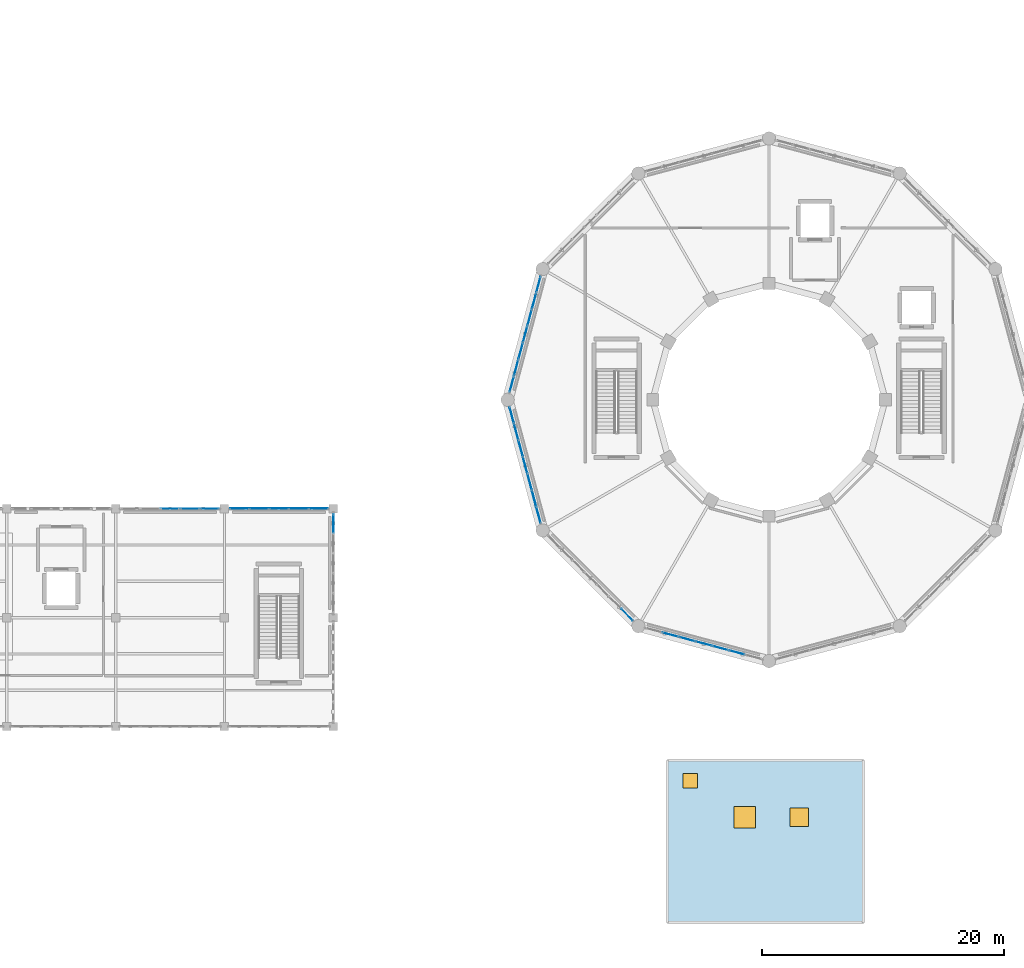
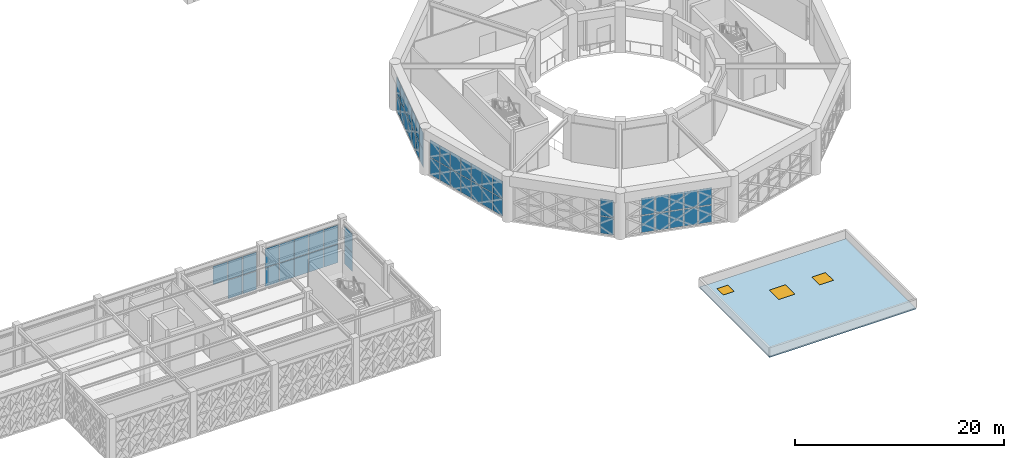
# One storey, part 58 of 72: 57 plates, 2 windows, 1 door, 1 slab, 3 openings, 7 elements without a shape of their own.
"""IFC4 building model written with IfcOpenShell, lengths in metres."""

from ifc_helpers import new_model, si_unit, direction, frame, origin, origin_2d, place, context, subcontext, project, spatial, polyline, rectangle, outline, extrude, material, layer, layer_set, type_object, element, fill, aggregate, save


model = new_model("IFC4")

# Units and contexts
model_context = context("Model", 3, precision=1e-05, world=origin(), true_north=direction((0.0, 1.0)))
body_context = subcontext(model_context, "Body", "Model", "MODEL_VIEW")
ifc_project = project(units=[si_unit("LENGTHUNIT", "METRE"), si_unit("AREAUNIT", "SQUARE_METRE"), si_unit("VOLUMEUNIT", "CUBIC_METRE"), si_unit("PLANEANGLEUNIT", "RADIAN"), si_unit("MASSUNIT", "GRAM", prefix="KILO")], contexts=[model_context])

# Site, building, storey
site_placement = place(None, origin())
site = spatial("IfcSite", under=ifc_project, at=site_placement, CompositionType="ELEMENT")
building_placement = place(site_placement, origin())
building = spatial("IfcBuilding", under=site, at=building_placement, Name="Haizhuo Lancet Aquarium", CompositionType="ELEMENT")
storey_placement = place(building_placement, frame((0.0, 0.0, 21.60009765625)))
storey = spatial("IfcBuildingStorey", under=building, at=storey_placement, Name="L04", CompositionType="ELEMENT", Elevation=21.60009765625)

# Curtain wall, plates
ifc_material_1 = material(Name="Aluminium 6063-T6", Category="aluminium")
curtain_wall_type_1 = type_object("IfcCurtainWallType", Name="CWO-9990x4180", PredefinedType="NOTDEFINED", material=ifc_material_1)
curtain_wall_1_placement = place(storey_placement, origin())
curtain_wall_1 = element("IfcCurtainWall", 1, at=curtain_wall_1_placement, inside=storey, type_object=curtain_wall_type_1, Name="L04 curtain wall CW-V1-L04-09", PredefinedType="NOTDEFINED")
ifc_material_2 = material(Name="Laminated Low-E Glass", Category="glass")
ifc_layer_1 = layer(ifc_material_2, 0.028076171875)
ifc_layer_set_1 = layer_set([ifc_layer_1], Name="Laminated Low-E Glass")
plate_type_1 = type_object("IfcPlateType", Name="CW-PNL-1", PredefinedType="CURTAIN_PANEL", material=ifc_layer_set_1)
plate_1_placement = place(storey_placement, frame((-2.64306640625, -20.89208984375, 0.07958984375), z_axis=(0.0, 0.0, 1.0), x_axis=(-0.965916791212, 0.258852762117, 0.0)))
plate_1 = element("IfcPlate", 2, at=plate_1_placement, type_object=plate_type_1, Name="CWO-99x41 panel 2.1", PredefinedType="CURTAIN_PANEL", context=body_context, shape_type="SweptSolid", body=[
    extrude(rectangle(XDim=1.346923828125, YDim=0.028076171875, at=origin_2d()), origin(), (0.0, 0.0, 1.0), 1.972900390625),
])
plate_2_placement = place(storey_placement, frame((-2.64306640625, -20.89208984375, 2.1328125), z_axis=(0.0, 0.0, 1.0), x_axis=(-0.965916791212, 0.258852762117, 0.0)))
plate_2 = element("IfcPlate", 3, at=plate_2_placement, type_object=plate_type_1, Name="CWO-99x41 panel 2.2", PredefinedType="CURTAIN_PANEL", context=body_context, shape_type="SweptSolid", body=[
    extrude(rectangle(XDim=1.346923828125, YDim=0.028076171875, at=origin_2d()), origin(), (0.0, 0.0, 1.0), 1.971923828125),
])
plate_3_placement = place(storey_placement, frame((-4.02099609375, -20.52197265625, 0.07958984375), z_axis=(0.0, 0.0, 1.0), x_axis=(-0.965916791212, 0.258852762117, 0.0)))
plate_3 = element("IfcPlate", 4, at=plate_3_placement, type_object=plate_type_1, Name="CWO-99x41 panel 3.1", PredefinedType="CURTAIN_PANEL", context=body_context, shape_type="SweptSolid", body=[
    extrude(rectangle(XDim=1.346923828125, YDim=0.028076171875, at=origin_2d()), origin(), (0.0, 0.0, 1.0), 1.972900390625),
])
plate_4_placement = place(storey_placement, frame((-4.02099609375, -20.52197265625, 2.1328125), z_axis=(0.0, 0.0, 1.0), x_axis=(-0.965916791212, 0.258852762117, 0.0)))
plate_4 = element("IfcPlate", 5, at=plate_4_placement, type_object=plate_type_1, Name="CWO-99x41 panel 3.2", PredefinedType="CURTAIN_PANEL", context=body_context, shape_type="SweptSolid", body=[
    extrude(rectangle(XDim=1.346923828125, YDim=0.028076171875, at=origin_2d()), origin(), (0.0, 0.0, 1.0), 1.971923828125),
])
plate_5_placement = place(storey_placement, frame((-5.39990234375, -20.153076171875, 0.07958984375), z_axis=(0.0, 0.0, 1.0), x_axis=(-0.965916791212, 0.258852762117, 0.0)))
plate_5 = element("IfcPlate", 6, at=plate_5_placement, type_object=plate_type_1, Name="CWO-99x41 panel 4.1", PredefinedType="CURTAIN_PANEL", context=body_context, shape_type="SweptSolid", body=[
    extrude(rectangle(XDim=1.346923828125, YDim=0.028076171875, at=origin_2d()), origin(), (0.0, 0.0, 1.0), 1.972900390625),
])
plate_6_placement = place(storey_placement, frame((-5.39990234375, -20.153076171875, 2.1328125), z_axis=(0.0, 0.0, 1.0), x_axis=(-0.965916791212, 0.258852762117, 0.0)))
plate_6 = element("IfcPlate", 7, at=plate_6_placement, type_object=plate_type_1, Name="CWO-99x41 panel 4.2", PredefinedType="CURTAIN_PANEL", context=body_context, shape_type="SweptSolid", body=[
    extrude(rectangle(XDim=1.346923828125, YDim=0.028076171875, at=origin_2d()), origin(), (0.0, 0.0, 1.0), 1.971923828125),
])
plate_7_placement = place(storey_placement, frame((-6.779052734375, -19.783935546875, 0.07958984375), z_axis=(0.0, 0.0, 1.0), x_axis=(-0.965916791212, 0.258852762117, 0.0)))
plate_7 = element("IfcPlate", 8, at=plate_7_placement, type_object=plate_type_1, Name="CWO-99x41 panel 5.1", PredefinedType="CURTAIN_PANEL", context=body_context, shape_type="SweptSolid", body=[
    extrude(rectangle(XDim=1.346923828125, YDim=0.028076171875, at=origin_2d()), origin(), (0.0, 0.0, 1.0), 1.972900390625),
])
plate_8_placement = place(storey_placement, frame((-6.779052734375, -19.783935546875, 2.1328125), z_axis=(0.0, 0.0, 1.0), x_axis=(-0.965916791212, 0.258852762117, 0.0)))
plate_8 = element("IfcPlate", 9, at=plate_8_placement, type_object=plate_type_1, Name="CWO-99x41 panel 5.2", PredefinedType="CURTAIN_PANEL", context=body_context, shape_type="SweptSolid", body=[
    extrude(rectangle(XDim=1.346923828125, YDim=0.028076171875, at=origin_2d()), origin(), (0.0, 0.0, 1.0), 1.971923828125),
])
plate_9_placement = place(storey_placement, frame((-8.156982421875, -19.4140625, 0.07958984375), z_axis=(0.0, 0.0, 1.0), x_axis=(-0.965916791212, 0.258852762117, 0.0)))
plate_9 = element("IfcPlate", 10, at=plate_9_placement, type_object=plate_type_1, Name="CWO-99x41 panel 6.1", PredefinedType="CURTAIN_PANEL", context=body_context, shape_type="SweptSolid", body=[
    extrude(rectangle(XDim=1.346923828125, YDim=0.028076171875, at=origin_2d()), origin(), (0.0, 0.0, 1.0), 1.972900390625),
])
plate_10_placement = place(storey_placement, frame((-8.156982421875, -19.4140625, 2.1328125), z_axis=(0.0, 0.0, 1.0), x_axis=(-0.965916791212, 0.258852762117, 0.0)))
plate_10 = element("IfcPlate", 11, at=plate_10_placement, type_object=plate_type_1, Name="CWO-99x41 panel 6.2", PredefinedType="CURTAIN_PANEL", context=body_context, shape_type="SweptSolid", body=[
    extrude(rectangle(XDim=1.346923828125, YDim=0.028076171875, at=origin_2d()), origin(), (0.0, 0.0, 1.0), 1.971923828125),
])
aggregate(curtain_wall_1, [plate_1, plate_2, plate_3, plate_4, plate_5, plate_6, plate_7, plate_8, plate_9, plate_10])

curtain_wall_type_2 = type_object("IfcCurtainWallType", Name="CWO-8210x4550", PredefinedType="NOTDEFINED", material=ifc_material_1)
curtain_wall_2_placement = place(storey_placement, origin())
curtain_wall_2 = element("IfcCurtainWall", 12, at=curtain_wall_2_placement, inside=storey, type_object=curtain_wall_type_2, Name="L04 curtain wall CW-V6-L04-249", PredefinedType="NOTDEFINED")
plate_11_placement = place(storey_placement, frame((-49.5, -9.0, 2.314453125), z_axis=(0.0, 0.0, 1.0), x_axis=(1.0, 0.0, 0.0)))
plate_11 = element("IfcPlate", 13, at=plate_11_placement, type_object=plate_type_1, Name="CWO-82x45 panel 3.2", PredefinedType="CURTAIN_PANEL", context=body_context, shape_type="SweptSolid", body=[
    extrude(rectangle(XDim=1.56201171875, YDim=0.028076171875, at=origin_2d()), origin(), (0.0, 0.0, 1.0), 2.155029296875),
])
plate_12_placement = place(storey_placement, frame((-47.85791015625, -9.0, 0.08056640625), z_axis=(0.0, 0.0, 1.0), x_axis=(1.0, 0.0, 0.0)))
plate_12 = element("IfcPlate", 14, at=plate_12_placement, type_object=plate_type_1, Name="CWO-82x45 panel 4.1", PredefinedType="CURTAIN_PANEL", context=body_context, shape_type="SweptSolid", body=[
    extrude(rectangle(XDim=1.56201171875, YDim=0.028076171875, at=origin_2d()), origin(), (0.0, 0.0, 1.0), 2.155029296875),
])
plate_13_placement = place(storey_placement, frame((-47.85791015625, -9.0, 2.314453125), z_axis=(0.0, 0.0, 1.0), x_axis=(1.0, 0.0, 0.0)))
plate_13 = element("IfcPlate", 15, at=plate_13_placement, type_object=plate_type_1, Name="CWO-82x45 panel 4.2", PredefinedType="CURTAIN_PANEL", context=body_context, shape_type="SweptSolid", body=[
    extrude(rectangle(XDim=1.56201171875, YDim=0.028076171875, at=origin_2d()), origin(), (0.0, 0.0, 1.0), 2.155029296875),
])
plate_14_placement = place(storey_placement, frame((-46.236083984375, -9.0, 0.08056640625), z_axis=(0.0, 0.0, 1.0), x_axis=(1.0, 0.0, 0.0)))
plate_14 = element("IfcPlate", 16, at=plate_14_placement, type_object=plate_type_1, Name="CWO-82x45 panel 5.1", PredefinedType="CURTAIN_PANEL", context=body_context, shape_type="SweptSolid", body=[
    extrude(rectangle(XDim=1.52197265625, YDim=0.028076171875, at=origin_2d()), origin(), (0.0, 0.0, 1.0), 2.155029296875),
])
plate_15_placement = place(storey_placement, frame((-46.236083984375, -9.0, 2.314453125), z_axis=(0.0, 0.0, 1.0), x_axis=(1.0, 0.0, 0.0)))
plate_15 = element("IfcPlate", 17, at=plate_15_placement, type_object=plate_type_1, Name="CWO-82x45 panel 5.2", PredefinedType="CURTAIN_PANEL", context=body_context, shape_type="SweptSolid", body=[
    extrude(rectangle(XDim=1.52197265625, YDim=0.028076171875, at=origin_2d()), origin(), (0.0, 0.0, 1.0), 2.155029296875),
])
aggregate(curtain_wall_2, [plate_11, plate_12, plate_13, plate_14, plate_15])

curtain_wall_3_placement = place(storey_placement, origin())
curtain_wall_3 = element("IfcCurtainWall", 18, at=curtain_wall_3_placement, inside=storey, type_object=curtain_wall_type_1, Name="L04 curtain wall CW-V1-L04-06", PredefinedType="NOTDEFINED")
ifc_layer_2 = layer(ifc_material_2, 0.033935546875)
ifc_layer_set_2 = layer_set([ifc_layer_2], Name="Laminated Low-E Glass")
plate_type_2 = type_object("IfcPlateType", Name="CW-PNL-2", PredefinedType="CURTAIN_PANEL", material=ifc_layer_set_2)
plate_16_placement = place(storey_placement, frame((-21.256103515625, 1.283935546875, 0.07958984375), z_axis=(0.0, 0.0, 1.0), x_axis=(0.258852762117, 0.965916791212, 0.0)))
plate_16 = element("IfcPlate", 19, at=plate_16_placement, type_object=plate_type_2, Name="CWO-99x41 panel 1.1", PredefinedType="CURTAIN_PANEL", context=body_context, shape_type="SweptSolid", body=[
    extrude(rectangle(XDim=1.306884765625, YDim=0.033935546875, at=origin_2d()), origin(), (0.0, 0.0, 1.0), 1.972900390625),
])
plate_17_placement = place(storey_placement, frame((-21.256103515625, 1.283935546875, 2.1328125), z_axis=(0.0, 0.0, 1.0), x_axis=(0.258852762117, 0.965916791212, 0.0)))
plate_17 = element("IfcPlate", 20, at=plate_17_placement, type_object=plate_type_2, Name="CWO-99x41 panel 1.2", PredefinedType="CURTAIN_PANEL", context=body_context, shape_type="SweptSolid", body=[
    extrude(rectangle(XDim=1.306884765625, YDim=0.033935546875, at=origin_2d()), origin(), (0.0, 0.0, 1.0), 1.971923828125),
])
plate_18_placement = place(storey_placement, frame((-20.89208984375, 2.64306640625, 0.07958984375), z_axis=(0.0, 0.0, 1.0), x_axis=(0.258852762117, 0.965916791212, 0.0)))
plate_18 = element("IfcPlate", 21, at=plate_18_placement, type_object=plate_type_2, Name="CWO-99x41 panel 2.1", PredefinedType="CURTAIN_PANEL", context=body_context, shape_type="SweptSolid", body=[
    extrude(rectangle(XDim=1.346923828125, YDim=0.033935546875, at=origin_2d()), origin(), (0.0, 0.0, 1.0), 1.972900390625),
])
plate_19_placement = place(storey_placement, frame((-20.89208984375, 2.64306640625, 2.1328125), z_axis=(0.0, 0.0, 1.0), x_axis=(0.258852762117, 0.965916791212, 0.0)))
plate_19 = element("IfcPlate", 22, at=plate_19_placement, type_object=plate_type_2, Name="CWO-99x41 panel 2.2", PredefinedType="CURTAIN_PANEL", context=body_context, shape_type="SweptSolid", body=[
    extrude(rectangle(XDim=1.346923828125, YDim=0.033935546875, at=origin_2d()), origin(), (0.0, 0.0, 1.0), 1.971923828125),
])
plate_20_placement = place(storey_placement, frame((-20.52197265625, 4.02099609375, 0.07958984375), z_axis=(0.0, 0.0, 1.0), x_axis=(0.258852762117, 0.965916791212, 0.0)))
plate_20 = element("IfcPlate", 23, at=plate_20_placement, type_object=plate_type_2, Name="CWO-99x41 panel 3.1", PredefinedType="CURTAIN_PANEL", context=body_context, shape_type="SweptSolid", body=[
    extrude(rectangle(XDim=1.346923828125, YDim=0.033935546875, at=origin_2d()), origin(), (0.0, 0.0, 1.0), 1.972900390625),
])
plate_21_placement = place(storey_placement, frame((-20.52197265625, 4.02099609375, 2.1328125), z_axis=(0.0, 0.0, 1.0), x_axis=(0.258852762117, 0.965916791212, 0.0)))
plate_21 = element("IfcPlate", 24, at=plate_21_placement, type_object=plate_type_2, Name="CWO-99x41 panel 3.2", PredefinedType="CURTAIN_PANEL", context=body_context, shape_type="SweptSolid", body=[
    extrude(rectangle(XDim=1.346923828125, YDim=0.033935546875, at=origin_2d()), origin(), (0.0, 0.0, 1.0), 1.971923828125),
])
plate_22_placement = place(storey_placement, frame((-20.153076171875, 5.39990234375, 0.07958984375), z_axis=(0.0, 0.0, 1.0), x_axis=(0.258852762117, 0.965916791212, 0.0)))
plate_22 = element("IfcPlate", 25, at=plate_22_placement, type_object=plate_type_2, Name="CWO-99x41 panel 4.1", PredefinedType="CURTAIN_PANEL", context=body_context, shape_type="SweptSolid", body=[
    extrude(rectangle(XDim=1.346923828125, YDim=0.033935546875, at=origin_2d()), origin(), (0.0, 0.0, 1.0), 1.972900390625),
])
plate_23_placement = place(storey_placement, frame((-20.153076171875, 5.39990234375, 2.1328125), z_axis=(0.0, 0.0, 1.0), x_axis=(0.258852762117, 0.965916791212, 0.0)))
plate_23 = element("IfcPlate", 26, at=plate_23_placement, type_object=plate_type_2, Name="CWO-99x41 panel 4.2", PredefinedType="CURTAIN_PANEL", context=body_context, shape_type="SweptSolid", body=[
    extrude(rectangle(XDim=1.346923828125, YDim=0.033935546875, at=origin_2d()), origin(), (0.0, 0.0, 1.0), 1.971923828125),
])
plate_24_placement = place(storey_placement, frame((-19.783935546875, 6.779052734375, 0.07958984375), z_axis=(0.0, 0.0, 1.0), x_axis=(0.258852762117, 0.965916791212, 0.0)))
plate_24 = element("IfcPlate", 27, at=plate_24_placement, type_object=plate_type_2, Name="CWO-99x41 panel 5.1", PredefinedType="CURTAIN_PANEL", context=body_context, shape_type="SweptSolid", body=[
    extrude(rectangle(XDim=1.346923828125, YDim=0.033935546875, at=origin_2d()), origin(), (0.0, 0.0, 1.0), 1.972900390625),
])
plate_25_placement = place(storey_placement, frame((-19.783935546875, 6.779052734375, 2.1328125), z_axis=(0.0, 0.0, 1.0), x_axis=(0.258852762117, 0.965916791212, 0.0)))
plate_25 = element("IfcPlate", 28, at=plate_25_placement, type_object=plate_type_2, Name="CWO-99x41 panel 5.2", PredefinedType="CURTAIN_PANEL", context=body_context, shape_type="SweptSolid", body=[
    extrude(rectangle(XDim=1.346923828125, YDim=0.033935546875, at=origin_2d()), origin(), (0.0, 0.0, 1.0), 1.971923828125),
])
plate_26_placement = place(storey_placement, frame((-19.4140625, 8.156982421875, 0.07958984375), z_axis=(0.0, 0.0, 1.0), x_axis=(0.258852762117, 0.965916791212, 0.0)))
plate_26 = element("IfcPlate", 29, at=plate_26_placement, type_object=plate_type_2, Name="CWO-99x41 panel 6.1", PredefinedType="CURTAIN_PANEL", context=body_context, shape_type="SweptSolid", body=[
    extrude(rectangle(XDim=1.346923828125, YDim=0.033935546875, at=origin_2d()), origin(), (0.0, 0.0, 1.0), 1.972900390625),
])
plate_27_placement = place(storey_placement, frame((-19.4140625, 8.156982421875, 2.1328125), z_axis=(0.0, 0.0, 1.0), x_axis=(0.258852762117, 0.965916791212, 0.0)))
plate_27 = element("IfcPlate", 30, at=plate_27_placement, type_object=plate_type_2, Name="CWO-99x41 panel 6.2", PredefinedType="CURTAIN_PANEL", context=body_context, shape_type="SweptSolid", body=[
    extrude(rectangle(XDim=1.346923828125, YDim=0.033935546875, at=origin_2d()), origin(), (0.0, 0.0, 1.0), 1.971923828125),
])
plate_28_placement = place(storey_placement, frame((-19.050048828125, 9.51611328125, 0.07958984375), z_axis=(0.0, 0.0, 1.0), x_axis=(0.258852762117, 0.965916791212, 0.0)))
plate_28 = element("IfcPlate", 31, at=plate_28_placement, type_object=plate_type_2, Name="CWO-99x41 panel 7.1", PredefinedType="CURTAIN_PANEL", context=body_context, shape_type="SweptSolid", body=[
    extrude(rectangle(XDim=1.306884765625, YDim=0.033935546875, at=origin_2d()), origin(), (0.0, 0.0, 1.0), 1.972900390625),
])
plate_29_placement = place(storey_placement, frame((-19.050048828125, 9.51611328125, 2.1328125), z_axis=(0.0, 0.0, 1.0), x_axis=(0.258852762117, 0.965916791212, 0.0)))
plate_29 = element("IfcPlate", 32, at=plate_29_placement, type_object=plate_type_2, Name="CWO-99x41 panel 7.2", PredefinedType="CURTAIN_PANEL", context=body_context, shape_type="SweptSolid", body=[
    extrude(rectangle(XDim=1.306884765625, YDim=0.033935546875, at=origin_2d()), origin(), (0.0, 0.0, 1.0), 1.971923828125),
])
aggregate(curtain_wall_3, [plate_16, plate_17, plate_18, plate_19, plate_20, plate_21, plate_22, plate_23, plate_24, plate_25, plate_26, plate_27, plate_28, plate_29])

curtain_wall_4_placement = place(storey_placement, origin())
curtain_wall_4 = element("IfcCurtainWall", 33, at=curtain_wall_4_placement, inside=storey, type_object=curtain_wall_type_2, Name="L04 curtain wall CW-V6-L04-250", PredefinedType="NOTDEFINED")
plate_30_placement = place(storey_placement, frame((-43.76806640625, -9.0, 0.06494140625), z_axis=(0.0, 0.0, 1.0), x_axis=(1.0, 0.0, 0.0)))
plate_30 = element("IfcPlate", 34, at=plate_30_placement, type_object=plate_type_2, Name="CWO-82x45 panel 1.1", PredefinedType="CURTAIN_PANEL", context=body_context, shape_type="SweptSolid", body=[
    extrude(rectangle(XDim=1.5439453125, YDim=0.033935546875, at=origin_2d()), origin(), (0.0, 0.0, 1.0), 2.177978515625),
])
plate_31_placement = place(storey_placement, frame((-43.76806640625, -9.0, 2.30712890625), z_axis=(0.0, 0.0, 1.0), x_axis=(1.0, 0.0, 0.0)))
plate_31 = element("IfcPlate", 35, at=plate_31_placement, type_object=plate_type_2, Name="CWO-82x45 panel 1.2", PredefinedType="CURTAIN_PANEL", context=body_context, shape_type="SweptSolid", body=[
    extrude(rectangle(XDim=1.5439453125, YDim=0.033935546875, at=origin_2d()), origin(), (0.0, 0.0, 1.0), 2.177978515625),
])
plate_32_placement = place(storey_placement, frame((-42.14208984375, -9.0, 0.06494140625), z_axis=(0.0, 0.0, 1.0), x_axis=(1.0, 0.0, 0.0)))
plate_32 = element("IfcPlate", 36, at=plate_32_placement, type_object=plate_type_2, Name="CWO-82x45 panel 2.1", PredefinedType="CURTAIN_PANEL", context=body_context, shape_type="SweptSolid", body=[
    extrude(rectangle(XDim=1.576904296875, YDim=0.033935546875, at=origin_2d()), origin(), (0.0, 0.0, 1.0), 2.177978515625),
])
plate_33_placement = place(storey_placement, frame((-42.14208984375, -9.0, 2.30712890625), z_axis=(0.0, 0.0, 1.0), x_axis=(1.0, 0.0, 0.0)))
plate_33 = element("IfcPlate", 37, at=plate_33_placement, type_object=plate_type_2, Name="CWO-82x45 panel 2.2", PredefinedType="CURTAIN_PANEL", context=body_context, shape_type="SweptSolid", body=[
    extrude(rectangle(XDim=1.576904296875, YDim=0.033935546875, at=origin_2d()), origin(), (0.0, 0.0, 1.0), 2.177978515625),
])
plate_34_placement = place(storey_placement, frame((-40.5, -9.0, 0.06494140625), z_axis=(0.0, 0.0, 1.0), x_axis=(1.0, 0.0, 0.0)))
plate_34 = element("IfcPlate", 38, at=plate_34_placement, type_object=plate_type_2, Name="CWO-82x45 panel 3.1", PredefinedType="CURTAIN_PANEL", context=body_context, shape_type="SweptSolid", body=[
    extrude(rectangle(XDim=1.576904296875, YDim=0.033935546875, at=origin_2d()), origin(), (0.0, 0.0, 1.0), 2.177978515625),
])
plate_35_placement = place(storey_placement, frame((-40.5, -9.0, 2.30712890625), z_axis=(0.0, 0.0, 1.0), x_axis=(1.0, 0.0, 0.0)))
plate_35 = element("IfcPlate", 39, at=plate_35_placement, type_object=plate_type_2, Name="CWO-82x45 panel 3.2", PredefinedType="CURTAIN_PANEL", context=body_context, shape_type="SweptSolid", body=[
    extrude(rectangle(XDim=1.576904296875, YDim=0.033935546875, at=origin_2d()), origin(), (0.0, 0.0, 1.0), 2.177978515625),
])
plate_36_placement = place(storey_placement, frame((-38.85791015625, -9.0, 0.06494140625), z_axis=(0.0, 0.0, 1.0), x_axis=(1.0, 0.0, 0.0)))
plate_36 = element("IfcPlate", 40, at=plate_36_placement, type_object=plate_type_2, Name="CWO-82x45 panel 4.1", PredefinedType="CURTAIN_PANEL", context=body_context, shape_type="SweptSolid", body=[
    extrude(rectangle(XDim=1.576904296875, YDim=0.033935546875, at=origin_2d()), origin(), (0.0, 0.0, 1.0), 2.177978515625),
])
plate_37_placement = place(storey_placement, frame((-38.85791015625, -9.0, 2.30712890625), z_axis=(0.0, 0.0, 1.0), x_axis=(1.0, 0.0, 0.0)))
plate_37 = element("IfcPlate", 41, at=plate_37_placement, type_object=plate_type_2, Name="CWO-82x45 panel 4.2", PredefinedType="CURTAIN_PANEL", context=body_context, shape_type="SweptSolid", body=[
    extrude(rectangle(XDim=1.576904296875, YDim=0.033935546875, at=origin_2d()), origin(), (0.0, 0.0, 1.0), 2.177978515625),
])
plate_38_placement = place(storey_placement, frame((-37.23193359375, -9.0, 0.06494140625), z_axis=(0.0, 0.0, 1.0), x_axis=(1.0, 0.0, 0.0)))
plate_38 = element("IfcPlate", 42, at=plate_38_placement, type_object=plate_type_2, Name="CWO-82x45 panel 5.1", PredefinedType="CURTAIN_PANEL", context=body_context, shape_type="SweptSolid", body=[
    extrude(rectangle(XDim=1.5439453125, YDim=0.033935546875, at=origin_2d()), origin(), (0.0, 0.0, 1.0), 2.177978515625),
])
plate_39_placement = place(storey_placement, frame((-37.23193359375, -9.0, 2.30712890625), z_axis=(0.0, 0.0, 1.0), x_axis=(1.0, 0.0, 0.0)))
plate_39 = element("IfcPlate", 43, at=plate_39_placement, type_object=plate_type_2, Name="CWO-82x45 panel 5.2", PredefinedType="CURTAIN_PANEL", context=body_context, shape_type="SweptSolid", body=[
    extrude(rectangle(XDim=1.5439453125, YDim=0.033935546875, at=origin_2d()), origin(), (0.0, 0.0, 1.0), 2.177978515625),
])
aggregate(curtain_wall_4, [plate_30, plate_31, plate_32, plate_33, plate_34, plate_35, plate_36, plate_37, plate_38, plate_39])

curtain_wall_5_placement = place(storey_placement, origin())
curtain_wall_5 = element("IfcCurtainWall", 44, at=curtain_wall_5_placement, inside=storey, type_object=curtain_wall_type_1, Name="L04 curtain wall CW-V1-L04-07", PredefinedType="NOTDEFINED")
ifc_layer_3 = layer(ifc_material_2, 0.0419921875)
ifc_layer_set_3 = layer_set([ifc_layer_3], Name="Laminated Low-E Glass")
plate_type_3 = type_object("IfcPlateType", Name="CW-PNL-3", PredefinedType="CURTAIN_PANEL", material=ifc_layer_set_3)
plate_40_placement = place(storey_placement, frame((-19.049072265625, -9.52001953125, 0.06494140625), z_axis=(0.0, 0.0, 1.0), x_axis=(-0.258852762117, 0.965916791212, 0.0)))
plate_40 = element("IfcPlate", 45, at=plate_40_placement, type_object=plate_type_3, Name="CWO-99x41 panel 1.1", PredefinedType="CURTAIN_PANEL", context=body_context, shape_type="SweptSolid", body=[
    extrude(rectangle(XDim=1.330078125, YDim=0.0419921875, at=origin_2d()), origin(), (0.0, 0.0, 1.0), 1.99609375),
])
plate_41_placement = place(storey_placement, frame((-19.049072265625, -9.52001953125, 2.125244140625), z_axis=(0.0, 0.0, 1.0), x_axis=(-0.258852762117, 0.965916791212, 0.0)))
plate_41 = element("IfcPlate", 46, at=plate_41_placement, type_object=plate_type_3, Name="CWO-99x41 panel 1.2", PredefinedType="CURTAIN_PANEL", context=body_context, shape_type="SweptSolid", body=[
    extrude(rectangle(XDim=1.330078125, YDim=0.0419921875, at=origin_2d()), origin(), (0.0, 0.0, 1.0), 1.9951171875),
])
plate_42_placement = place(storey_placement, frame((-19.4140625, -8.156982421875, 0.06494140625), z_axis=(0.0, 0.0, 1.0), x_axis=(-0.258852762117, 0.965916791212, 0.0)))
plate_42 = element("IfcPlate", 47, at=plate_42_placement, type_object=plate_type_3, Name="CWO-99x41 panel 2.1", PredefinedType="CURTAIN_PANEL", context=body_context, shape_type="SweptSolid", body=[
    extrude(rectangle(XDim=1.362060546875, YDim=0.0419921875, at=origin_2d()), origin(), (0.0, 0.0, 1.0), 1.99609375),
])
plate_43_placement = place(storey_placement, frame((-19.4140625, -8.156982421875, 2.125244140625), z_axis=(0.0, 0.0, 1.0), x_axis=(-0.258852762117, 0.965916791212, 0.0)))
plate_43 = element("IfcPlate", 48, at=plate_43_placement, type_object=plate_type_3, Name="CWO-99x41 panel 2.2", PredefinedType="CURTAIN_PANEL", context=body_context, shape_type="SweptSolid", body=[
    extrude(rectangle(XDim=1.362060546875, YDim=0.0419921875, at=origin_2d()), origin(), (0.0, 0.0, 1.0), 1.9951171875),
])
plate_44_placement = place(storey_placement, frame((-19.783935546875, -6.779052734375, 0.06494140625), z_axis=(0.0, 0.0, 1.0), x_axis=(-0.258852762117, 0.965916791212, 0.0)))
plate_44 = element("IfcPlate", 49, at=plate_44_placement, type_object=plate_type_3, Name="CWO-99x41 panel 3.1", PredefinedType="CURTAIN_PANEL", context=body_context, shape_type="SweptSolid", body=[
    extrude(rectangle(XDim=1.362060546875, YDim=0.0419921875, at=origin_2d()), origin(), (0.0, 0.0, 1.0), 1.99609375),
])
plate_45_placement = place(storey_placement, frame((-19.783935546875, -6.779052734375, 2.125244140625), z_axis=(0.0, 0.0, 1.0), x_axis=(-0.258852762117, 0.965916791212, 0.0)))
plate_45 = element("IfcPlate", 50, at=plate_45_placement, type_object=plate_type_3, Name="CWO-99x41 panel 3.2", PredefinedType="CURTAIN_PANEL", context=body_context, shape_type="SweptSolid", body=[
    extrude(rectangle(XDim=1.362060546875, YDim=0.0419921875, at=origin_2d()), origin(), (0.0, 0.0, 1.0), 1.9951171875),
])
plate_46_placement = place(storey_placement, frame((-20.153076171875, -5.39990234375, 0.06494140625), z_axis=(0.0, 0.0, 1.0), x_axis=(-0.258852762117, 0.965916791212, 0.0)))
plate_46 = element("IfcPlate", 51, at=plate_46_placement, type_object=plate_type_3, Name="CWO-99x41 panel 4.1", PredefinedType="CURTAIN_PANEL", context=body_context, shape_type="SweptSolid", body=[
    extrude(rectangle(XDim=1.362060546875, YDim=0.0419921875, at=origin_2d()), origin(), (0.0, 0.0, 1.0), 1.99609375),
])
plate_47_placement = place(storey_placement, frame((-20.153076171875, -5.39990234375, 2.125244140625), z_axis=(0.0, 0.0, 1.0), x_axis=(-0.258852762117, 0.965916791212, 0.0)))
plate_47 = element("IfcPlate", 52, at=plate_47_placement, type_object=plate_type_3, Name="CWO-99x41 panel 4.2", PredefinedType="CURTAIN_PANEL", context=body_context, shape_type="SweptSolid", body=[
    extrude(rectangle(XDim=1.362060546875, YDim=0.0419921875, at=origin_2d()), origin(), (0.0, 0.0, 1.0), 1.9951171875),
])
plate_48_placement = place(storey_placement, frame((-20.52197265625, -4.02099609375, 0.06494140625), z_axis=(0.0, 0.0, 1.0), x_axis=(-0.258852762117, 0.965916791212, 0.0)))
plate_48 = element("IfcPlate", 53, at=plate_48_placement, type_object=plate_type_3, Name="CWO-99x41 panel 5.1", PredefinedType="CURTAIN_PANEL", context=body_context, shape_type="SweptSolid", body=[
    extrude(rectangle(XDim=1.362060546875, YDim=0.0419921875, at=origin_2d()), origin(), (0.0, 0.0, 1.0), 1.99609375),
])
plate_49_placement = place(storey_placement, frame((-20.52197265625, -4.02099609375, 2.125244140625), z_axis=(0.0, 0.0, 1.0), x_axis=(-0.258852762117, 0.965916791212, 0.0)))
plate_49 = element("IfcPlate", 54, at=plate_49_placement, type_object=plate_type_3, Name="CWO-99x41 panel 5.2", PredefinedType="CURTAIN_PANEL", context=body_context, shape_type="SweptSolid", body=[
    extrude(rectangle(XDim=1.362060546875, YDim=0.0419921875, at=origin_2d()), origin(), (0.0, 0.0, 1.0), 1.9951171875),
])
plate_50_placement = place(storey_placement, frame((-20.89208984375, -2.64306640625, 0.06494140625), z_axis=(0.0, 0.0, 1.0), x_axis=(-0.258852762117, 0.965916791212, 0.0)))
plate_50 = element("IfcPlate", 55, at=plate_50_placement, type_object=plate_type_3, Name="CWO-99x41 panel 6.1", PredefinedType="CURTAIN_PANEL", context=body_context, shape_type="SweptSolid", body=[
    extrude(rectangle(XDim=1.362060546875, YDim=0.0419921875, at=origin_2d()), origin(), (0.0, 0.0, 1.0), 1.99609375),
])
plate_51_placement = place(storey_placement, frame((-20.89208984375, -2.64306640625, 2.125244140625), z_axis=(0.0, 0.0, 1.0), x_axis=(-0.258852762117, 0.965916791212, 0.0)))
plate_51 = element("IfcPlate", 56, at=plate_51_placement, type_object=plate_type_3, Name="CWO-99x41 panel 6.2", PredefinedType="CURTAIN_PANEL", context=body_context, shape_type="SweptSolid", body=[
    extrude(rectangle(XDim=1.362060546875, YDim=0.0419921875, at=origin_2d()), origin(), (0.0, 0.0, 1.0), 1.9951171875),
])
plate_52_placement = place(storey_placement, frame((-21.257080078125, -1.280029296875, 0.06494140625), z_axis=(0.0, 0.0, 1.0), x_axis=(-0.258852762117, 0.965916791212, 0.0)))
plate_52 = element("IfcPlate", 57, at=plate_52_placement, type_object=plate_type_3, Name="CWO-99x41 panel 7.1", PredefinedType="CURTAIN_PANEL", context=body_context, shape_type="SweptSolid", body=[
    extrude(rectangle(XDim=1.330078125, YDim=0.0419921875, at=origin_2d()), origin(), (0.0, 0.0, 1.0), 1.99609375),
])
plate_53_placement = place(storey_placement, frame((-21.257080078125, -1.280029296875, 2.125244140625), z_axis=(0.0, 0.0, 1.0), x_axis=(-0.258852762117, 0.965916791212, 0.0)))
plate_53 = element("IfcPlate", 58, at=plate_53_placement, type_object=plate_type_3, Name="CWO-99x41 panel 7.2", PredefinedType="CURTAIN_PANEL", context=body_context, shape_type="SweptSolid", body=[
    extrude(rectangle(XDim=1.330078125, YDim=0.0419921875, at=origin_2d()), origin(), (0.0, 0.0, 1.0), 1.9951171875),
])
aggregate(curtain_wall_5, [plate_40, plate_41, plate_42, plate_43, plate_44, plate_45, plate_46, plate_47, plate_48, plate_49, plate_50, plate_51, plate_52, plate_53])

curtain_wall_type_3 = type_object("IfcCurtainWallType", Name="CWD-8210x4550", PredefinedType="NOTDEFINED", material=ifc_material_1)
curtain_wall_6_placement = place(storey_placement, origin())
curtain_wall_6 = element("IfcCurtainWall", 59, at=curtain_wall_6_placement, inside=storey, type_object=curtain_wall_type_3, Name="L04 curtain wall CW-V6-L04-251", PredefinedType="NOTDEFINED")
plate_54_placement = place(storey_placement, frame((-36.0, -10.235107421875, 0.074951171875), z_axis=(0.0, 0.0, 1.0), x_axis=(0.0, -1.0, 0.0)))
plate_54 = element("IfcPlate", 60, at=plate_54_placement, type_object=plate_type_3, Name="CWD-82x45 panel 1.1", PredefinedType="CURTAIN_PANEL", context=body_context, shape_type="SweptSolid", body=[
    extrude(rectangle(XDim=1.530029296875, YDim=0.0419921875, at=origin_2d()), origin(), (0.0, 0.0, 1.0), 2.162109375),
])
plate_55_placement = place(storey_placement, frame((-36.0, -10.235107421875, 2.312744140625), z_axis=(0.0, 0.0, 1.0), x_axis=(0.0, -1.0, 0.0)))
plate_55 = element("IfcPlate", 61, at=plate_55_placement, type_object=plate_type_3, Name="CWD-82x45 panel 1.2", PredefinedType="CURTAIN_PANEL", context=body_context, shape_type="SweptSolid", body=[
    extrude(rectangle(XDim=1.530029296875, YDim=0.0419921875, at=origin_2d()), origin(), (0.0, 0.0, 1.0), 2.162109375),
])
aggregate(curtain_wall_6, [plate_54, plate_55])

curtain_wall_7_placement = place(storey_placement, origin())
curtain_wall_7 = element("IfcCurtainWall", 62, at=curtain_wall_7_placement, inside=storey, type_object=curtain_wall_type_1, Name="L04 curtain wall CW-V1-L04-08", PredefinedType="NOTDEFINED")
ifc_layer_4 = layer(ifc_material_2, 0.052001953125)
ifc_layer_set_4 = layer_set([ifc_layer_4], Name="Laminated Low-E Glass")
plate_type_4 = type_object("IfcPlateType", Name="CW-PNL-4", PredefinedType="CURTAIN_PANEL", material=ifc_layer_set_4)
plate_56_placement = place(storey_placement, frame((-11.739013671875, -17.76708984375, 0.074951171875), z_axis=(0.0, 0.0, 1.0), x_axis=(-0.707106781187, 0.707106781187, 0.0)))
plate_56 = element("IfcPlate", 63, at=plate_56_placement, type_object=plate_type_4, Name="CWO-99x41 panel 1.1", PredefinedType="CURTAIN_PANEL", context=body_context, shape_type="SweptSolid", body=[
    extrude(rectangle(XDim=1.31494140625, YDim=0.052001953125, at=origin_2d()), origin(), (0.0, 0.0, 1.0), 1.97998046875),
])
plate_57_placement = place(storey_placement, frame((-11.739013671875, -17.76708984375, 2.13037109375), z_axis=(0.0, 0.0, 1.0), x_axis=(-0.707106781187, 0.707106781187, 0.0)))
plate_57 = element("IfcPlate", 64, at=plate_57_placement, type_object=plate_type_4, Name="CWO-99x41 panel 1.2", PredefinedType="CURTAIN_PANEL", context=body_context, shape_type="SweptSolid", body=[
    extrude(rectangle(XDim=1.31494140625, YDim=0.052001953125, at=origin_2d()), origin(), (0.0, 0.0, 1.0), 1.97900390625),
])
aggregate(curtain_wall_7, [plate_56, plate_57])

# Slab, openings, door, windows
ifc_material_3 = material(Name="Concrete C40/50", Category="concrete")
ifc_layer_5 = layer(ifc_material_3, 0.14990234375)
ifc_layer_set_5 = layer_set([ifc_layer_5], Name="Concrete C40/50")
slab_type = type_object("IfcSlabType", Name="SLB-CANOPY-150", PredefinedType="ROOF", material=ifc_layer_set_5)
slab_placement = place(storey_placement, frame((0.0, 0.0, -0.150146484375)))
slab = element("IfcSlab", 65, at=slab_placement, inside=storey, type_object=slab_type, Name="L04 structural slab SL-L04-V4-PH-01", PredefinedType="ROOF", context=body_context, shape_type="SweptSolid", body=[
    extrude(outline(polyline([(-8.39990234375, -43.199951171875), (7.800048828125, -43.199951171875), (7.800048828125, -29.800048828125), (-8.39990234375, -29.800048828125), (-8.39990234375, -43.199951171875)])), origin(), (0.0, 0.0, 1.0), 0.150146484375),
])
opening_1_placement = place(slab_placement, frame((-2.0, -34.5, 0.0)))
opening_1 = element("IfcOpeningElement", 66, at=opening_1_placement, cuts=slab, Name="Opening LDM-01", PredefinedType="OPENING", context=body_context, shape_type="SweptSolid", body=[
    extrude(rectangle(XDim=1.800048828125, YDim=1.800048828125, at=origin_2d()), origin(), (0.0, 0.0, 1.0), 0.150146484375),
])
opening_2_placement = place(slab_placement, frame((2.5, -34.5, 0.0)))
opening_2 = element("IfcOpeningElement", 67, at=opening_2_placement, cuts=slab, Name="Opening LDM-02", PredefinedType="OPENING", context=body_context, shape_type="SweptSolid", body=[
    extrude(rectangle(XDim=1.5, YDim=1.5, at=origin_2d()), origin(), (0.0, 0.0, 1.0), 0.150146484375),
])
opening_3_placement = place(slab_placement, frame((-6.5, -31.5, 0.0)))
opening_3 = element("IfcOpeningElement", 68, at=opening_3_placement, cuts=slab, Name="Opening HD-01", PredefinedType="OPENING", context=body_context, shape_type="SweptSolid", body=[
    extrude(rectangle(XDim=1.199951171875, YDim=1.199951171875, at=origin_2d()), origin(), (0.0, 0.0, 1.0), 0.150146484375),
])
ifc_material_4 = material(Name="Steel S355", Category="steel")
door_type = type_object("IfcDoorType", Name="EDR-HATCH-1200x1200", OperationType="NOTDEFINED", PredefinedType="TRAPDOOR", material=ifc_material_4)
door_placement = place(opening_3_placement, frame((0.0, 0.0, 0.10009765625)))
door = element("IfcDoor", 69, at=door_placement, inside=storey, type_object=door_type, Name="L04 roof opening HD-01", OperationType="SINGLE_SWING_LEFT", OverallHeight=1.199951171875, OverallWidth=1.199951171875, PredefinedType="TRAPDOOR", context=body_context, shape_type="SweptSolid", body=[
    extrude(rectangle(XDim=1.199951171875, YDim=1.199951171875, at=origin_2d()), origin(), (0.0, 0.0, 1.0), 0.050048828125),
])
fill(opening_3, door)
window_type_1 = type_object("IfcWindowType", Name="WIN-LDM-1500x1500", PartitioningType="SINGLE_PANEL", PredefinedType="LIGHTDOME", material=ifc_material_2)
window_1_placement = place(opening_2_placement, frame((0.0, 0.0, 0.10009765625)))
window_1 = element("IfcWindow", 70, at=window_1_placement, inside=storey, type_object=window_type_1, Name="L04 roof opening LDM-03", OverallHeight=1.5, OverallWidth=1.5, PartitioningType="SINGLE_PANEL", PredefinedType="LIGHTDOME", context=body_context, shape_type="SweptSolid", body=[
    extrude(rectangle(XDim=1.5, YDim=1.5, at=origin_2d()), origin(), (0.0, 0.0, 1.0), 0.050048828125),
])
fill(opening_2, window_1)
window_type_2 = type_object("IfcWindowType", Name="WIN-LDM-1800x1800", PartitioningType="SINGLE_PANEL", PredefinedType="LIGHTDOME", material=ifc_material_2)
window_2_placement = place(opening_1_placement, frame((0.0, 0.0, 0.10009765625)))
window_2 = element("IfcWindow", 71, at=window_2_placement, inside=storey, type_object=window_type_2, Name="L04 roof opening LDM-02", OverallHeight=1.800048828125, OverallWidth=1.800048828125, PartitioningType="SINGLE_PANEL", PredefinedType="LIGHTDOME", context=body_context, shape_type="SweptSolid", body=[
    extrude(rectangle(XDim=1.800048828125, YDim=1.800048828125, at=origin_2d()), origin(), (0.0, 0.0, 1.0), 0.050048828125),
])
fill(opening_1, window_2)

save(model, "model.ifc")
